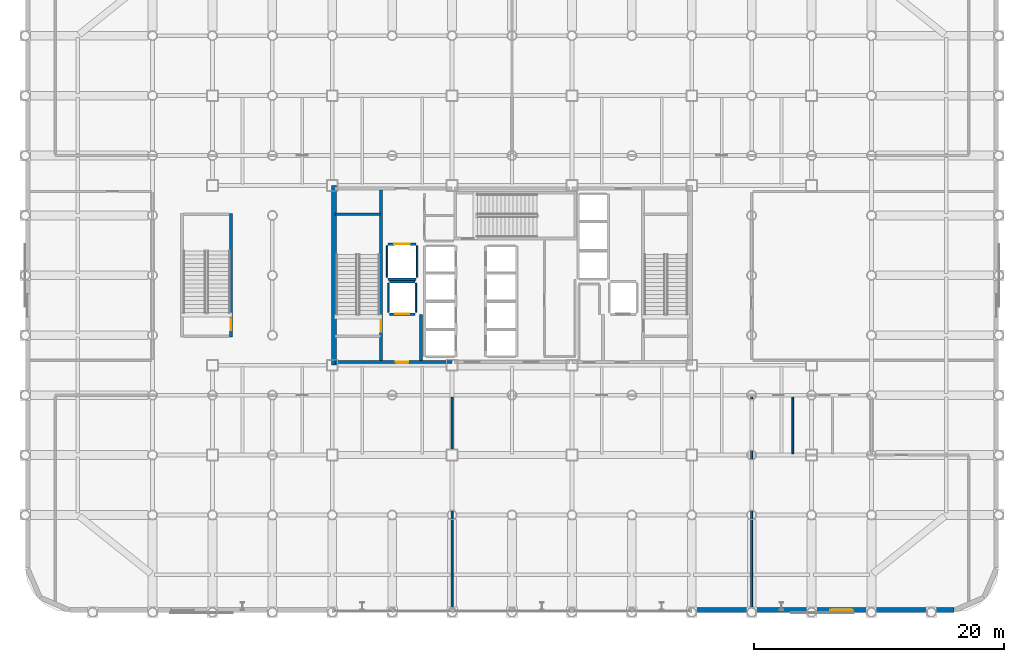
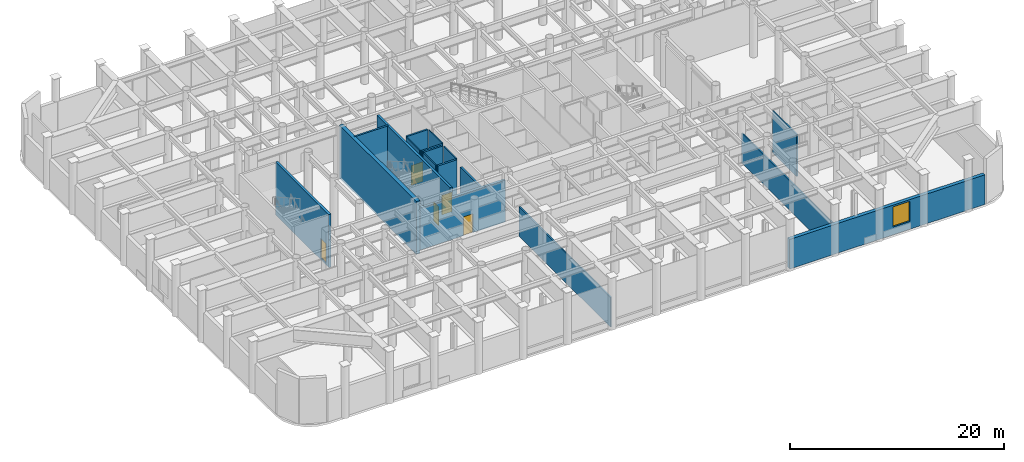
# One storey, part 16 of 26: 18 walls, 5 doors, 1 window, 6 openings.
"""IFC4 building model written with IfcOpenShell, lengths in metres."""

import ifcopenshell
import ifcopenshell.guid

model = None  # the IFC model being written
_history = None  # IfcOwnerHistory: only IFC2X3 demands one
_inside = {}  # id of a spatial element -> (the spatial element, [elements in it])
_under = {}  # id of a project, library or spatial element -> (it, [spatial elements below it])
_declared = {}  # id of a project -> (the project, [libraries it declares])
_typed = {}  # id of a type object -> (the type object, [elements of that type])
_made_of = {}  # id of a material, layer set ... -> (it, [elements and type objects made of it])


def new_model(schema):
    """Start an empty IFC model of exactly this schema.

    Asked for "IFC4X3", IfcOpenShell would pick the latest addendum, in which some entities
    have other attributes; the version numbers below select the first issue.
    IFC2X3 requires an IfcOwnerHistory on every rooted entity: one is made here for all.
    """
    global model, _history
    if schema == "IFC4X3":
        model = ifcopenshell.file(schema_version=(4, 3, 0, 0))
    else:
        model = ifcopenshell.file(schema=schema)
    _inside.clear()
    _under.clear()
    _declared.clear()
    _typed.clear()
    _made_of.clear()
    _history = None
    if model.schema == "IFC2X3":
        org = make("IfcOrganization", Name="unknown")
        user = make(
            "IfcPersonAndOrganization",
            ThePerson=make("IfcPerson", FamilyName="unknown"),
            TheOrganization=org,
        )
        app = make(
            "IfcApplication",
            ApplicationDeveloper=org,
            Version="unknown",
            ApplicationFullName="unknown",
            ApplicationIdentifier="unknown",
        )
        _history = make(
            "IfcOwnerHistory",
            OwningUser=user,
            OwningApplication=app,
            ChangeAction="ADDED",
            CreationDate=0,
        )
    return model


def make(cls, **values):
    """One entity of the class cls with the attributes given. An attribute that is None is left unset."""
    return model.create_entity(
        cls, **{name: value for name, value in values.items() if value is not None}
    )


def rooted(cls, **values):
    """An entity with a GlobalId (a new one), such as an element, a storey or a relation."""
    return make(cls, GlobalId=ifcopenshell.guid.new(), OwnerHistory=_history, **values)


def si_unit(unit_type, name, prefix=None):
    """IfcSIUnit, for example si_unit("LENGTHUNIT", "METRE", prefix="MILLI")."""
    return make("IfcSIUnit", UnitType=unit_type, Prefix=prefix, Name=name)


def assignment(units):
    """IfcUnitAssignment: the units of a project."""
    return None if units is None else make("IfcUnitAssignment", Units=units)


def point(xyz):
    """IfcCartesianPoint."""
    return None if xyz is None else make("IfcCartesianPoint", Coordinates=xyz)


def direction(xyz):
    """IfcDirection."""
    return None if xyz is None else make("IfcDirection", DirectionRatios=xyz)


def frame(location, z_axis=None, x_axis=None):
    """IfcAxis2Placement3D, a coordinate frame: its origin and axes. An axis left out is left unset."""
    return make(
        "IfcAxis2Placement3D",
        Location=point(location),
        Axis=direction(z_axis),
        RefDirection=direction(x_axis),
    )


def frame_2d(location, x_axis=None):
    """IfcAxis2Placement2D, a coordinate frame in the plane: its origin and x axis."""
    return make(
        "IfcAxis2Placement2D", Location=point(location), RefDirection=direction(x_axis)
    )


def origin():
    """The frame at (0, 0, 0) with its axes left unset."""
    return frame((0.0, 0.0, 0.0))


def place(relative_to, where):
    """IfcLocalPlacement: puts the frame where relative to a parent placement (None: the world)."""
    return make(
        "IfcLocalPlacement", PlacementRelTo=relative_to, RelativePlacement=where
    )


def context(
    kind, dimensions, precision=None, world=None, true_north=None, identifier=None
):
    """IfcGeometricRepresentationContext, for example the 3D "Model" context."""
    return make(
        "IfcGeometricRepresentationContext",
        ContextIdentifier=identifier,
        ContextType=kind,
        CoordinateSpaceDimension=dimensions,
        Precision=precision,
        WorldCoordinateSystem=world,
        TrueNorth=true_north,
    )


def subcontext(parent, identifier, kind, view, scale=None):
    """IfcGeometricRepresentationSubContext, for example "Body" below "Model"."""
    return make(
        "IfcGeometricRepresentationSubContext",
        ContextIdentifier=identifier,
        ContextType=kind,
        ParentContext=parent,
        TargetScale=scale,
        TargetView=view,
    )


def project(units=None, contexts=None):
    """IfcProject with its units and contexts."""
    return rooted(
        "IfcProject",
        Name="project",
        RepresentationContexts=contexts,
        UnitsInContext=assignment(units),
    )


def spatial(cls, under=None, at=None, **own):
    """A site, building, storey or space (cls), placed at a placement, below another one or the project."""
    s = rooted(cls, ObjectPlacement=at, **own)
    if under is not None:
        _under.setdefault(under.id(), (under, []))[1].append(s)
    return s


def profile(cls, at=None, kind="AREA", **sizes):
    """A parametric profile (cls). Its sizes go by their IFC names, for example OverallWidth=200.0."""
    return make(cls, ProfileType=kind, Position=at, **sizes)


def rectangle(**sizes):
    """IfcRectangleProfileDef."""
    return profile("IfcRectangleProfileDef", **sizes)


def extrude(swept, where, along, depth):
    """IfcExtrudedAreaSolid: the profile swept, set in the frame where, extruded along a direction by depth."""
    return make(
        "IfcExtrudedAreaSolid",
        SweptArea=swept,
        Position=where,
        ExtrudedDirection=direction(along),
        Depth=depth,
    )


def shape(context_of_items, identifier, shape_type, items):
    """IfcShapeRepresentation: the items that make up one representation, for example the "Body"."""
    return make(
        "IfcShapeRepresentation",
        ContextOfItems=context_of_items,
        RepresentationIdentifier=identifier,
        RepresentationType=shape_type,
        Items=items,
    )


def material(Name=None, Category=None):
    """IfcMaterial."""
    return make("IfcMaterial", Name=Name, Category=Category)


def layer(
    of_material, thickness, ventilated=None, Name=None, Category=None, Priority=None
):
    """IfcMaterialLayer: one layer of a wall or slab, of a material (None: an air gap)."""
    return make(
        "IfcMaterialLayer",
        Material=of_material,
        LayerThickness=thickness,
        IsVentilated=ventilated,
        Name=Name,
        Category=Category,
        Priority=Priority,
    )


def layer_set(layers, Name=None):
    """IfcMaterialLayerSet."""
    return make("IfcMaterialLayerSet", MaterialLayers=layers, LayerSetName=Name)


def made_of(thing, what):
    """Note that an element or type object is made of a material, layer set ...; save() writes the relation."""
    if what is not None:
        _made_of.setdefault(what.id(), (what, []))[1].append(thing)
    return thing


def type_object(cls, material=None, **own):
    """A type object (cls), such as IfcWallType, which elements share."""
    return made_of(rooted(cls, **own), material)


def element(
    cls,
    number,
    at=None,
    inside=None,
    cuts=None,
    type_object=None,
    material=None,
    context=None,
    identifier="Body",
    shape_type=None,
    held_by="IfcProductDefinitionShape",
    body=None,
    shapes=None,
    **own,
):
    """One element of the class cls, such as IfcWall. Its Tag is "e" and its number.

    at: its placement. inside: the storey or other place that contains it. cuts: it is an
    opening in that element (IfcRelVoidsElement). A single representation is given by context,
    identifier, shape_type and body (its items); several are given by shapes. held_by: the class
    of the entity that holds the representations. save() writes the other relations.
    """
    e = rooted(cls, Tag="e%d" % number, ObjectPlacement=at, **own)
    if body is not None:
        shapes = [shape(context, identifier, shape_type, body)]
    if shapes is not None:
        e.Representation = make(held_by, Representations=shapes)
    if inside is not None:
        _inside.setdefault(inside.id(), (inside, []))[1].append(e)
    if cuts is not None:
        rooted(
            "IfcRelVoidsElement", RelatingBuildingElement=cuts, RelatedOpeningElement=e
        )
    if type_object is not None:
        _typed.setdefault(type_object.id(), (type_object, []))[1].append(e)
    return made_of(e, material)


def fill(opening, filler):
    """IfcRelFillsElement: the door or window that sits in an opening."""
    return rooted(
        "IfcRelFillsElement",
        RelatingOpeningElement=opening,
        RelatedBuildingElement=filler,
    )


def aggregate(whole, parts):
    """IfcRelAggregates: a whole, such as a stair, and the parts it consists of."""
    return rooted("IfcRelAggregates", RelatingObject=whole, RelatedObjects=parts)


def save(model, path):
    """Write the relations noted so far, then the file.

    IfcRelAggregates (storeys below a building ...), IfcRelContainedInSpatialStructure (elements
    in a storey), IfcRelDefinesByType, IfcRelAssociatesMaterial and IfcRelDeclares: one each for
    every whole, place, type object, material and project.
    """
    for whole, parts in _under.values():
        aggregate(whole, parts)
    for where, things in _inside.values():
        rooted(
            "IfcRelContainedInSpatialStructure",
            RelatedElements=things,
            RelatingStructure=where,
        )
    for kind, things in _typed.values():
        rooted("IfcRelDefinesByType", RelatedObjects=things, RelatingType=kind)
    for what, things in _made_of.values():
        rooted("IfcRelAssociatesMaterial", RelatedObjects=things, RelatingMaterial=what)
    for by, libraries in _declared.values():
        rooted("IfcRelDeclares", RelatingContext=by, RelatedDefinitions=libraries)
    model.write(path)


model = new_model("IFC4")

# Units and contexts
model_context = context("Model", 3, precision=1e-05, world=origin(), true_north=direction((0.0, 1.0)))
body_context = subcontext(model_context, "Body", "Model", "MODEL_VIEW")
ifc_project = project(units=[si_unit("LENGTHUNIT", "METRE"), si_unit("AREAUNIT", "SQUARE_METRE"), si_unit("VOLUMEUNIT", "CUBIC_METRE"), si_unit("PLANEANGLEUNIT", "RADIAN"), si_unit("MASSUNIT", "GRAM", prefix="KILO")], contexts=[model_context])

# Site, building, storey
site_placement = place(None, origin())
site = spatial("IfcSite", under=ifc_project, at=site_placement, CompositionType="ELEMENT")
building_placement = place(site_placement, origin())
building = spatial("IfcBuilding", under=site, at=building_placement, Name="Kallvorn Hotel Tower", CompositionType="ELEMENT")
storey_placement = place(building_placement, frame((0.0, 0.0, 6.0)))
storey = spatial("IfcBuildingStorey", under=building, at=storey_placement, Name="L01", CompositionType="ELEMENT", Elevation=6.0)

# Wall
ifc_material_1 = material(Name="Concrete C50/60", Category="concrete")
ifc_layer_1 = layer(ifc_material_1, 0.39990234375)
ifc_layer_set_1 = layer_set([ifc_layer_1], Name="WL_CORE_400")
wall_type_1 = type_object("IfcWallType", Name="WL_CORE_400", PredefinedType="SHEAR", material=ifc_layer_set_1)
wall_1_placement = place(storey_placement, frame((-14.264892578125, -7.199951171875, -0.25), z_axis=(0.0, 0.0, 1.0), x_axis=(0.0, 1.0, 0.0)))
element("IfcWall", 1, at=wall_1_placement, inside=storey, type_object=wall_type_1, Name="L01 Core West Shear Wall", PredefinedType="SHEAR", context=body_context, shape_type="SweptSolid", body=[
    extrude(rectangle(XDim=14.39990234375, YDim=0.39990234375, at=frame_2d((7.199951171875, 0.0))), origin(), (0.0, 0.0, 1.0), 6.030029296875),
])

# Wall, opening, window
ifc_material_2 = material(Name="Precast basalt-clad insulated concrete wall C40/50", Category="masonry")
ifc_layer_2 = layer(ifc_material_2, 0.3798828125)
ifc_layer_set_2 = layer_set([ifc_layer_2], Name="WL_EXT_PODIUM_380")
wall_type_2 = type_object("IfcWallType", Name="WL_EXT_PODIUM_380", PredefinedType="SOLIDWALL", material=ifc_layer_set_2)
wall_2_placement = place(storey_placement, frame((35.39990234375, -26.81005859375, 0.0), z_axis=(0.0, 0.0, 1.0), x_axis=(-1.0, 0.0, 0.0)))
wall_2 = element("IfcWall", 2, at=wall_2_placement, inside=storey, type_object=wall_type_2, Name="L01 Podium Exterior Wall EW-L01-SE", PredefinedType="SOLIDWALL", context=body_context, shape_type="SweptSolid", body=[
    extrude(rectangle(XDim=21.0498046875, YDim=0.3798828125, at=frame_2d((10.52490234375, 0.0))), origin(), (0.0, 0.0, 1.0), 3.3798828125),
])
opening_1_placement = place(wall_2_placement, frame((8.10009765625, 0.0, 0.89990234375)))
opening_1 = element("IfcOpeningElement", 3, at=opening_1_placement, cuts=wall_2, Name="Opening W02", PredefinedType="OPENING", context=body_context, shape_type="SweptSolid", body=[
    extrude(rectangle(XDim=1.800048828125, YDim=2.300048828125, at=frame_2d((0.89990234375, 1.14990234375))), frame((0.0, 0.204833984375, 0.0), z_axis=(0.0, -1.0, 0.0), x_axis=(1.0, 0.0, 0.0)), (0.0, 0.0, 1.0), 0.409912109375),
])
ifc_material_3 = material(Name="Double-glazed low-e solar-control dark glass", Category="glass")
window_type = type_object("IfcWindowType", Name="WN_POD_1800x2300", PartitioningType="SINGLE_PANEL", PredefinedType="WINDOW", material=ifc_material_3)
window_placement = place(opening_1_placement, origin())
window = element("IfcWindow", 4, at=window_placement, inside=storey, type_object=window_type, Name="L01 Podium Window EW-L01-SE", OverallHeight=2.300048828125, OverallWidth=1.800048828125, PartitioningType="SINGLE_PANEL", PredefinedType="WINDOW", context=body_context, shape_type="SweptSolid", body=[
    extrude(rectangle(XDim=1.800048828125, YDim=2.300048828125, at=frame_2d((0.89990234375, 1.14990234375))), frame((0.0, 0.030029296875, 0.0), z_axis=(0.0, -1.0, 0.0), x_axis=(1.0, 0.0, 0.0)), (0.0, 0.0, 1.0), 0.06005859375),
])
fill(opening_1, window)

# Walls
ifc_material_4 = material(Name="Concrete C40/50", Category="concrete")
ifc_layer_3 = layer(ifc_material_4, 0.219970703125)
ifc_layer_set_3 = layer_set([ifc_layer_3], Name="WL_FFL_220")
wall_type_3 = type_object("IfcWallType", Name="WL_FFL_220", PredefinedType="SOLIDWALL", material=ifc_layer_set_3)
wall_3_placement = place(storey_placement, frame((-7.300048828125, -6.820068359375, 0.0), z_axis=(0.0, 0.0, 1.0), x_axis=(0.0, 1.0, 0.0)))
element("IfcWall", 5, at=wall_3_placement, inside=storey, type_object=wall_type_3, Name="L01 Firefighting Lobby West Divider Wall", PredefinedType="SOLIDWALL", context=body_context, shape_type="SweptSolid", body=[
    extrude(rectangle(XDim=3.670166015625, YDim=0.219970703125, at=frame_2d((1.8349609375, 0.0))), origin(), (0.0, 0.0, 1.0), 4.780029296875),
])
ifc_material_5 = material(Name="Concrete C40/50", Category="concrete")
ifc_layer_4 = layer(ifc_material_5, 0.199951171875)
ifc_layer_set_4 = layer_set([ifc_layer_4], Name="WL_HOIST_200")
wall_type_4 = type_object("IfcWallType", Name="WL_HOIST_200", PredefinedType="SOLIDWALL", material=ifc_layer_set_4)
wall_4_placement = place(storey_placement, frame((-14.199951171875, 4.89990234375, -0.25), z_axis=(0.0, 0.0, 1.0), x_axis=(1.0, 0.0, 0.0)))
element("IfcWall", 6, at=wall_4_placement, inside=storey, type_object=wall_type_4, Name="L01 Stair ST1 North Wall", PredefinedType="SOLIDWALL", context=body_context, shape_type="SweptSolid", body=[
    extrude(rectangle(XDim=3.64990234375, YDim=0.199951171875, at=frame_2d((1.824951171875, 0.0))), origin(), (0.0, 0.0, 1.0), 6.030029296875),
])

# Wall, opening, door
wall_5_placement = place(storey_placement, frame((-9.820068359375, -3.10009765625, 0.0), z_axis=(0.0, 0.0, 1.0), x_axis=(1.0, 0.0, 0.0)))
wall_5 = element("IfcWall", 7, at=wall_5_placement, inside=storey, type_object=wall_type_4, Name="L01 FL-1 Landing Wall", PredefinedType="SOLIDWALL", context=body_context, shape_type="SweptSolid", body=[
    extrude(rectangle(XDim=2.0400390625, YDim=0.199951171875, at=frame_2d((1.02001953125, 0.0))), origin(), (0.0, 0.0, 1.0), 5.780029296875),
])
opening_2_placement = place(wall_5_placement, frame((0.469970703125, 0.0, 0.0)))
opening_2 = element("IfcOpeningElement", 8, at=opening_2_placement, cuts=wall_5, Name="Opening LD-FL-1", PredefinedType="OPENING", context=body_context, shape_type="SweptSolid", body=[
    extrude(rectangle(XDim=1.10009765625, YDim=2.199951171875, at=frame_2d((0.550048828125, 1.10009765625))), frame((0.0, 0.114990234375, 0.0), z_axis=(0.0, -1.0, 0.0), x_axis=(1.0, 0.0, 0.0)), (0.0, 0.0, 1.0), 0.22998046875),
])
ifc_material_6 = material(Name="Brushed stainless-steel automatic sliding lift landing door", Category="steel")
door_type_1 = type_object("IfcDoorType", Name="LD_PASS_1100x2200", OperationType="SLIDING_TO_LEFT", PredefinedType="DOOR", material=ifc_material_6)
door_1_placement = place(opening_2_placement, origin())
door_1 = element("IfcDoor", 9, at=door_1_placement, inside=storey, type_object=door_type_1, Name="L01 Lift Landing Sliding Door LD-FL-1", OperationType="SLIDING_TO_LEFT", OverallHeight=2.199951171875, OverallWidth=1.10009765625, PredefinedType="DOOR", context=body_context, shape_type="SweptSolid", body=[
    extrude(rectangle(XDim=1.10009765625, YDim=2.199951171875, at=frame_2d((0.550048828125, 1.10009765625))), frame((0.0, 0.02490234375, 0.0), z_axis=(0.0, -1.0, 0.0), x_axis=(1.0, 0.0, 0.0)), (0.0, 0.0, 1.0), 0.050048828125),
])
fill(opening_2, door_1)

# Wall
wall_6_placement = place(storey_placement, frame((-9.820068359375, -0.5, 0.0), z_axis=(0.0, 0.0, 1.0), x_axis=(1.0, 0.0, 0.0)))
element("IfcWall", 10, at=wall_6_placement, inside=storey, type_object=wall_type_4, Name="L01 FL-1 Rear Shaft Wall", PredefinedType="SOLIDWALL", context=body_context, shape_type="SweptSolid", body=[
    extrude(rectangle(XDim=2.0400390625, YDim=0.199951171875, at=frame_2d((1.02001953125, 0.0))), origin(), (0.0, 0.0, 1.0), 5.780029296875),
])

# Wall, opening, door
wall_7_placement = place(storey_placement, frame((-9.919921875, 2.5, 0.0), z_axis=(0.0, 0.0, 1.0), x_axis=(1.0, 0.0, 0.0)))
wall_7 = element("IfcWall", 11, at=wall_7_placement, inside=storey, type_object=wall_type_4, Name="L01 SV-01 Landing Wall", PredefinedType="SOLIDWALL", context=body_context, shape_type="SweptSolid", body=[
    extrude(rectangle(XDim=2.239990234375, YDim=0.199951171875, at=frame_2d((1.1201171875, 0.0))), origin(), (0.0, 0.0, 1.0), 5.780029296875),
])
opening_3_placement = place(wall_7_placement, frame((0.4951171875, 0.0, 0.0)))
opening_3 = element("IfcOpeningElement", 12, at=opening_3_placement, cuts=wall_7, Name="Opening LD-SV-01", PredefinedType="OPENING", context=body_context, shape_type="SweptSolid", body=[
    extrude(rectangle(XDim=1.25, YDim=2.25, at=frame_2d((0.625, 1.125))), frame((0.0, 0.114990234375, 0.0), z_axis=(0.0, -1.0, 0.0), x_axis=(1.0, 0.0, 0.0)), (0.0, 0.0, 1.0), 0.22998046875),
])
ifc_material_7 = material(Name="Brushed stainless-steel automatic sliding lift landing door", Category="steel")
door_type_2 = type_object("IfcDoorType", Name="LD_SERV_1250x2250", OperationType="SLIDING_TO_LEFT", PredefinedType="DOOR", material=ifc_material_7)
door_2_placement = place(opening_3_placement, origin())
door_2 = element("IfcDoor", 13, at=door_2_placement, inside=storey, type_object=door_type_2, Name="L01 Lift Landing Sliding Door LD-SV-01", OperationType="SLIDING_TO_LEFT", OverallHeight=2.25, OverallWidth=1.25, PredefinedType="DOOR", context=body_context, shape_type="SweptSolid", body=[
    extrude(rectangle(XDim=1.25, YDim=2.25, at=frame_2d((0.625, 1.125))), frame((0.0, 0.02490234375, 0.0), z_axis=(0.0, -1.0, 0.0), x_axis=(1.0, 0.0, 0.0)), (0.0, 0.0, 1.0), 0.050048828125),
])
fill(opening_3, door_2)

# Walls
wall_8_placement = place(storey_placement, frame((-9.919921875, -0.300048828125, 0.0), z_axis=(0.0, 0.0, 1.0), x_axis=(1.0, 0.0, 0.0)))
element("IfcWall", 14, at=wall_8_placement, inside=storey, type_object=wall_type_4, Name="L01 SV-01 Rear Shaft Wall", PredefinedType="SOLIDWALL", context=body_context, shape_type="SweptSolid", body=[
    extrude(rectangle(XDim=2.239990234375, YDim=0.199951171875, at=frame_2d((1.1201171875, 0.0))), origin(), (0.0, 0.0, 1.0), 5.780029296875),
])
ifc_material_8 = material(Name="Fire-rated double-layer acoustic gypsum drywall EI 60")
ifc_layer_5 = layer(ifc_material_8, 0.1201171875)
ifc_layer_set_5 = layer_set([ifc_layer_5], Name="WL_INT_120")
wall_type_5 = type_object("IfcWallType", Name="WL_INT_120", PredefinedType="PARTITIONING", material=ifc_layer_set_5)
for number, where, z_axis, x_axis, name in (
    (15, (-9.89990234375, -2.9599609375, 0.0), (0.0, 0.0, 1.0), (0.0, 1.0, 0.0), "L01 FL-1 West Shaft Wall"),
    (16, (-7.699951171875, -2.9599609375, 0.0), (0.0, 0.0, 1.0), (0.0, 1.0, 0.0), "L01 FL-1 East Shaft Wall"),
):
    element("IfcWall", number, at=place(storey_placement, frame(where, z_axis=z_axis, x_axis=x_axis)), inside=storey, type_object=wall_type_5, Name=name, PredefinedType="PARTITIONING", context=body_context, shape_type="SweptSolid", body=[
        extrude(rectangle(XDim=2.320068359375, YDim=0.1201171875, at=frame_2d((1.16015625, 0.0))), origin(), (0.0, 0.0, 1.0), 5.780029296875),
    ])
for number, where, z_axis, x_axis, name in (
    (17, (-10.0, -0.159912109375, 0.0), (0.0, 0.0, 1.0), (0.0, 1.0, 0.0), "L01 SV-01 West Shaft Wall"),
    (18, (-7.60009765625, -0.159912109375, 0.0), (0.0, 0.0, 1.0), (0.0, 1.0, 0.0), "L01 SV-01 East Shaft Wall"),
):
    element("IfcWall", number, at=place(storey_placement, frame(where, z_axis=z_axis, x_axis=x_axis)), inside=storey, type_object=wall_type_5, Name=name, PredefinedType="PARTITIONING", context=body_context, shape_type="SweptSolid", body=[
        extrude(rectangle(XDim=2.52001953125, YDim=0.1201171875, at=frame_2d((1.260009765625, 0.0))), origin(), (0.0, 0.0, 1.0), 5.780029296875),
    ])
ifc_material_9 = material(Name="Fire-rated double-layer acoustic gypsum drywall EI 60")
ifc_layer_6 = layer(ifc_material_9, 0.14990234375)
ifc_layer_set_6 = layer_set([ifc_layer_6], Name="WL_PART_150")
wall_type_6 = type_object("IfcWallType", Name="WL_PART_150", PredefinedType="PARTITIONING", material=ifc_layer_set_6)
wall_9_placement = place(storey_placement, frame((-4.800048828125, -26.794921875, 0.0), z_axis=(0.0, 0.0, 1.0), x_axis=(0.0, 1.0, 0.0)))
element("IfcWall", 19, at=wall_9_placement, inside=storey, type_object=wall_type_6, Name="L01 Restaurant Show Kitchen and Culinary Servery Partition", PredefinedType="PARTITIONING", context=body_context, shape_type="SweptSolid", body=[
    extrude(rectangle(XDim=17.044921875, YDim=0.14990234375, at=frame_2d((8.5224609375, 0.0))), origin(), (0.0, 0.0, 1.0), 3.3798828125),
])
wall_10_placement = place(storey_placement, frame((19.199951171875, -26.610107421875, 0.0), z_axis=(0.0, 0.0, 1.0), x_axis=(0.0, 1.0, 0.0)))
element("IfcWall", 20, at=wall_10_placement, inside=storey, type_object=wall_type_6, Name="L01 Mezzanine Cocktail Bar Partition", PredefinedType="PARTITIONING", context=body_context, shape_type="SweptSolid", body=[
    extrude(rectangle(XDim=16.860107421875, YDim=0.14990234375, at=frame_2d((8.43017578125, 0.0))), origin(), (0.0, 0.0, 1.0), 3.3798828125),
])
ifc_material_10 = material(Name="Moisture-resistant acoustic plumbing chase wall EI 60")
ifc_layer_7 = layer(ifc_material_10, 0.139892578125)
ifc_layer_set_7 = layer_set([ifc_layer_7], Name="WL_PLUMB_140")
wall_type_7 = type_object("IfcWallType", Name="WL_PLUMB_140", PredefinedType="PLUMBINGWALL", material=ifc_layer_set_7)
wall_11_placement = place(storey_placement, frame((22.501953125, -14.280029296875, 0.0), z_axis=(0.0, 0.0, 1.0), x_axis=(0.0, 1.0, 0.0)))
element("IfcWall", 21, at=wall_11_placement, inside=storey, type_object=wall_type_7, Name="L01 Public Female Restroom WC Partition", PredefinedType="PLUMBINGWALL", context=body_context, shape_type="SweptSolid", body=[
    extrude(rectangle(XDim=4.530029296875, YDim=0.139892578125, at=frame_2d((2.26513671875, 0.0))), origin(), (0.0, 0.0, 1.0), 4.780029296875),
])

# Wall, opening, door
ifc_material_11 = material(Name="Concrete C40/50", Category="concrete")
ifc_layer_8 = layer(ifc_material_11, 0.25)
ifc_layer_set_8 = layer_set([ifc_layer_8], Name="WL_SHAFT_250")
wall_type_8 = type_object("IfcWallType", Name="WL_SHAFT_250", PredefinedType="SOLIDWALL", material=ifc_layer_set_8)
wall_12_placement = place(storey_placement, frame((-14.199951171875, -6.949951171875, 0.0), z_axis=(0.0, 0.0, 1.0), x_axis=(1.0, 0.0, 0.0)))
wall_12 = element("IfcWall", 22, at=wall_12_placement, inside=storey, type_object=wall_type_8, Name="L01 Core South-West Wall", PredefinedType="SOLIDWALL", context=body_context, shape_type="SweptSolid", body=[
    extrude(rectangle(XDim=9.39990234375, YDim=0.25, at=frame_2d((4.699951171875, 0.0))), origin(), (0.0, 0.0, 1.0), 4.780029296875),
])
opening_4_placement = place(wall_12_placement, frame((4.89990234375, 0.0, 0.0)))
opening_4 = element("IfcOpeningElement", 23, at=opening_4_placement, cuts=wall_12, Name="Opening FD1", PredefinedType="OPENING", context=body_context, shape_type="SweptSolid", body=[
    extrude(rectangle(XDim=1.0, YDim=2.14990234375, at=frame_2d((0.5, 1.074951171875))), frame((0.0, 0.139892578125, 0.0), z_axis=(0.0, -1.0, 0.0), x_axis=(1.0, 0.0, 0.0)), (0.0, 0.0, 1.0), 0.280029296875),
])
ifc_material_12 = material(Name="Galvanised painted steel fire-rated door assembly", Category="steel")
door_type_3 = type_object("IfcDoorType", Name="DR_FFL_1000x2150", OperationType="NOTDEFINED", PredefinedType="DOOR", material=ifc_material_12)
door_3_placement = place(opening_4_placement, origin())
door_3 = element("IfcDoor", 24, at=door_3_placement, inside=storey, type_object=door_type_3, Name="L01 Firefighting Lobby West Door", OperationType="SINGLE_SWING_LEFT", OverallHeight=2.14990234375, OverallWidth=1.0, PredefinedType="DOOR", context=body_context, shape_type="SweptSolid", body=[
    extrude(rectangle(XDim=1.0, YDim=2.14990234375, at=frame_2d((0.5, 1.074951171875))), frame((0.0, 0.02490234375, 0.0), z_axis=(0.0, -1.0, 0.0), x_axis=(1.0, 0.0, 0.0)), (0.0, 0.0, 1.0), 0.050048828125),
])
fill(opening_4, door_3)

wall_13_placement = place(storey_placement, frame((-10.5, -6.820068359375, -0.25), z_axis=(0.0, 0.0, 1.0), x_axis=(0.0, 1.0, 0.0)))
wall_13 = element("IfcWall", 25, at=wall_13_placement, inside=storey, type_object=wall_type_8, Name="L01 Stair ST1 Shaft Wall", PredefinedType="SOLIDWALL", context=body_context, shape_type="SweptSolid", body=[
    extrude(rectangle(XDim=13.64013671875, YDim=0.25, at=frame_2d((6.820068359375, 0.0))), origin(), (0.0, 0.0, 1.0), 6.030029296875),
])
opening_5_placement = place(wall_13_placement, frame((2.320068359375, 0.0, 0.25)))
opening_5 = element("IfcOpeningElement", 26, at=opening_5_placement, cuts=wall_13, Name="Opening SD1", PredefinedType="OPENING", context=body_context, shape_type="SweptSolid", body=[
    extrude(rectangle(XDim=0.949951171875, YDim=2.14990234375, at=frame_2d((0.47509765625, 1.074951171875))), frame((0.0, 0.139892578125, 0.0), z_axis=(0.0, -1.0, 0.0), x_axis=(1.0, 0.0, 0.0)), (0.0, 0.0, 1.0), 0.280029296875),
])
ifc_material_13 = material(Name="Galvanised painted steel fire-rated door assembly", Category="steel")
door_type_4 = type_object("IfcDoorType", Name="DR_STAIR_950x2150", OperationType="NOTDEFINED", PredefinedType="DOOR", material=ifc_material_13)
door_4_placement = place(opening_5_placement, origin())
door_4 = element("IfcDoor", 27, at=door_4_placement, inside=storey, type_object=door_type_4, Name="L01 Exit Stair ST1 Fire Door", OperationType="SINGLE_SWING_LEFT", OverallHeight=2.14990234375, OverallWidth=0.949951171875, PredefinedType="DOOR", context=body_context, shape_type="SweptSolid", body=[
    extrude(rectangle(XDim=0.949951171875, YDim=2.14990234375, at=frame_2d((0.47509765625, 1.074951171875))), frame((0.0, 0.02490234375, 0.0), z_axis=(0.0, -1.0, 0.0), x_axis=(1.0, 0.0, 0.0)), (0.0, 0.0, 1.0), 0.050048828125),
])
fill(opening_5, door_4)

wall_14_placement = place(storey_placement, frame((-22.5, -4.9599609375, -0.25), z_axis=(0.0, 0.0, 1.0), x_axis=(0.0, 1.0, 0.0)))
wall_14 = element("IfcWall", 28, at=wall_14_placement, inside=storey, type_object=wall_type_8, Name="L01 Podium Exit Stair ST4 East Wall", PredefinedType="SOLIDWALL", context=body_context, shape_type="SweptSolid", body=[
    extrude(rectangle(XDim=9.919921875, YDim=0.25, at=frame_2d((4.9599609375, 0.0))), origin(), (0.0, 0.0, 1.0), 6.030029296875),
])
opening_6_placement = place(wall_14_placement, frame((0.550048828125, 0.0, 0.25)))
opening_6 = element("IfcOpeningElement", 29, at=opening_6_placement, cuts=wall_14, Name="Opening SD1", PredefinedType="OPENING", context=body_context, shape_type="SweptSolid", body=[
    extrude(rectangle(XDim=0.949951171875, YDim=2.14990234375, at=frame_2d((0.47509765625, 1.074951171875))), frame((0.0, 0.139892578125, 0.0), z_axis=(0.0, -1.0, 0.0), x_axis=(1.0, 0.0, 0.0)), (0.0, 0.0, 1.0), 0.280029296875),
])
door_5_placement = place(opening_6_placement, origin())
door_5 = element("IfcDoor", 30, at=door_5_placement, inside=storey, type_object=door_type_4, Name="L01 Podium Exit Stair ST4 Fire Door", OperationType="SINGLE_SWING_RIGHT", OverallHeight=2.14990234375, OverallWidth=0.949951171875, PredefinedType="DOOR", context=body_context, shape_type="SweptSolid", body=[
    extrude(rectangle(XDim=0.949951171875, YDim=2.14990234375, at=frame_2d((0.47509765625, 1.074951171875))), frame((0.0, 0.02490234375, 0.0), z_axis=(0.0, -1.0, 0.0), x_axis=(1.0, 0.0, 0.0)), (0.0, 0.0, 1.0), 0.050048828125),
])
fill(opening_6, door_5)

save(model, "model.ifc")
